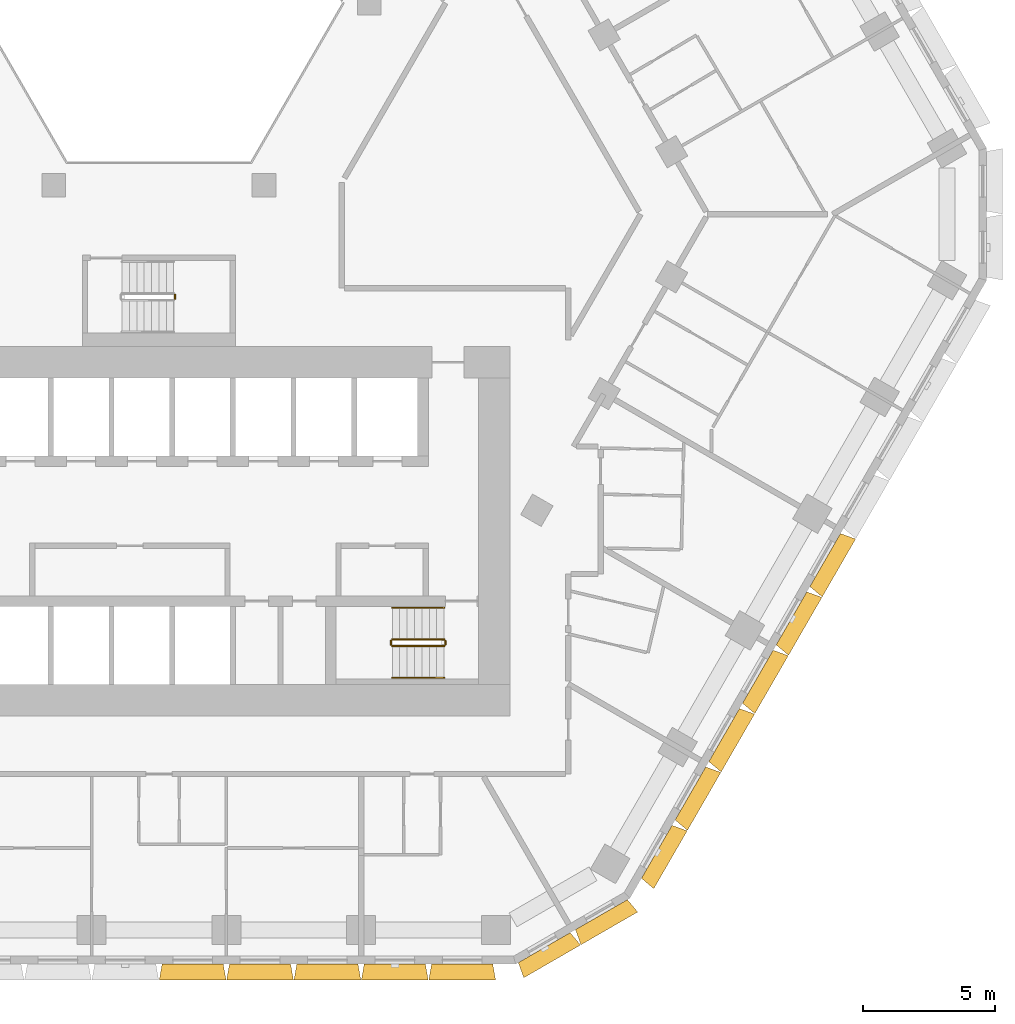
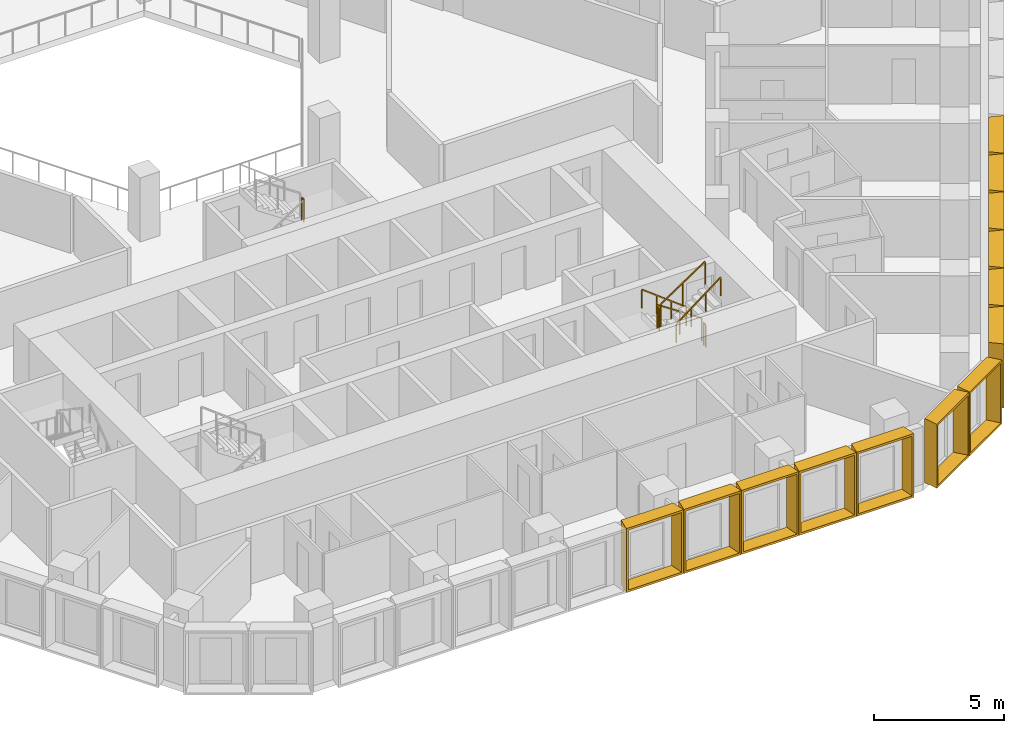
# One storey, part 20 of 21: 13 shading devices, 7 railings.
"""IFC4 building model written with IfcOpenShell, lengths in metres."""

from ifc_helpers import new_model, entity, si_unit, direction, frame, origin, origin_2d, place, context, subcontext, project, spatial, rectangle, extrude, source, transform, mapped, material, type_object, type_shapes, element, save


model = new_model("IFC4")

# Units and contexts
model_context = context("Model", 3, precision=1e-05, world=origin(), true_north=direction((0.0, 1.0)))
body_context = subcontext(model_context, "Body", "Model", "MODEL_VIEW")
ifc_project = project(units=[si_unit("LENGTHUNIT", "METRE"), si_unit("AREAUNIT", "SQUARE_METRE"), si_unit("VOLUMEUNIT", "CUBIC_METRE"), si_unit("PLANEANGLEUNIT", "RADIAN"), si_unit("MASSUNIT", "GRAM", prefix="KILO")], contexts=[model_context])

# Site, building, storey
site_placement = place(None, origin())
site = spatial("IfcSite", under=ifc_project, at=site_placement, CompositionType="ELEMENT")
building_placement = place(site_placement, origin())
building = spatial("IfcBuilding", under=site, at=building_placement, Name="Beryl Residences", CompositionType="ELEMENT")
storey_placement = place(building_placement, frame((0.0, 0.0, 53.39990234375)))
storey = spatial("IfcBuildingStorey", under=building, at=storey_placement, Name="L16", CompositionType="ELEMENT", Elevation=53.39990234375)

# Shading devices
ifc_material_1 = material(Name="Aluminium pale anodised", Category="aluminium")
shading_device_type_1 = type_object("IfcShadingDeviceType", Name="FR250-60A OUTER SKIN frame 600 mm deep, splay 10/10 deg, 2500 x 3000 mm cell", PredefinedType="USERDEFINED", material=ifc_material_1)
cartesian_point_1 = entity("IfcCartesianPoint", [-1.134033203125, 0.0])
cartesian_point_2 = entity("IfcCartesianPoint", [-1.052734375, 0.10009765625])
cartesian_point_3 = entity("IfcCartesianPoint", [-1.23974609375, 0.0])
cartesian_point_4 = entity("IfcCartesianPoint", [-1.158447265625, 0.10009765625])
shared_shape_1 = source(origin(), body_context, "Body", "SweptSolid", [
    entity("IfcExtrudedAreaSolidTapered", entity("IfcArbitraryProfileDefWithVoids", "AREA", None, entity("IfcPolyline", [cartesian_point_1, entity("IfcCartesianPoint", [1.134033203125, 0.0]), entity("IfcCartesianPoint", [1.134033203125, 3.0]), entity("IfcCartesianPoint", [-1.134033203125, 3.0]), cartesian_point_1]), [entity("IfcPolyline", [cartesian_point_2, entity("IfcCartesianPoint", [1.052734375, 0.10009765625]), entity("IfcCartesianPoint", [1.052734375, 2.89990234375]), entity("IfcCartesianPoint", [-1.052734375, 2.89990234375]), cartesian_point_2])]), entity("IfcAxis2Placement3D", entity("IfcCartesianPoint", [0.0, 0.0, 0.0]), entity("IfcDirection", [0.0, 1.0, 0.0]), entity("IfcDirection", [-1.0, 0.0, 0.0])), entity("IfcDirection", [0.0, 0.0, 1.0]), 0.60009765625, entity("IfcArbitraryProfileDefWithVoids", "AREA", None, entity("IfcPolyline", [cartesian_point_3, entity("IfcCartesianPoint", [1.23974609375, 0.0]), entity("IfcCartesianPoint", [1.23974609375, 3.0]), entity("IfcCartesianPoint", [-1.23974609375, 3.0]), cartesian_point_3]), [entity("IfcPolyline", [cartesian_point_4, entity("IfcCartesianPoint", [1.158447265625, 0.10009765625]), entity("IfcCartesianPoint", [1.158447265625, 2.89990234375]), entity("IfcCartesianPoint", [-1.158447265625, 2.89990234375]), cartesian_point_4])])),
])
type_shapes(shading_device_type_1, [shared_shape_1])
for number, where, z_axis, x_axis, name in (
    (1, (14.593017578125, -27.77490234375, 0.0), (0.0, 0.0, 1.0), (-0.866025403784, -0.5, 0.0), "FR250-60A frame L16 S-SE 1"),
    (2, (16.758056640625, -26.52490234375, 0.0), (0.0, 0.0, 1.0), (-0.866025403784, -0.5, 0.0), "FR250-60A frame L16 S-SE 2"),
):
    element("IfcShadingDevice", number, at=place(storey_placement, frame(where, z_axis=z_axis, x_axis=x_axis)), inside=storey, type_object=shading_device_type_1, Name=name, ObjectType="OUTER SKIN", PredefinedType="USERDEFINED", context=body_context, shape_type="MappedRepresentation", body=[
        mapped(shared_shape_1, transform((0.0, 0.0, 0.0))),
    ])
ifc_material_2 = material(Name="Aluminium pale anodised", Category="aluminium")
shading_device_type_2 = type_object("IfcShadingDeviceType", Name="FR255-60A OUTER SKIN frame 600 mm deep, splay 10/10 deg, 2550 x 3000 mm cell", PredefinedType="USERDEFINED", material=ifc_material_2)
cartesian_point_5 = entity("IfcCartesianPoint", [-1.158935546875, 0.0])
cartesian_point_6 = entity("IfcCartesianPoint", [-1.077880859375, 0.10009765625])
cartesian_point_7 = entity("IfcCartesianPoint", [-1.264892578125, 0.0])
cartesian_point_8 = entity("IfcCartesianPoint", [-1.18359375, 0.10009765625])
shared_shape_2 = source(origin(), body_context, "Body", "SweptSolid", [
    entity("IfcExtrudedAreaSolidTapered", entity("IfcArbitraryProfileDefWithVoids", "AREA", None, entity("IfcPolyline", [cartesian_point_5, entity("IfcCartesianPoint", [1.158935546875, 0.0]), entity("IfcCartesianPoint", [1.158935546875, 3.0]), entity("IfcCartesianPoint", [-1.158935546875, 3.0]), cartesian_point_5]), [entity("IfcPolyline", [cartesian_point_6, entity("IfcCartesianPoint", [1.077880859375, 0.10009765625]), entity("IfcCartesianPoint", [1.077880859375, 2.89990234375]), entity("IfcCartesianPoint", [-1.077880859375, 2.89990234375]), cartesian_point_6])]), entity("IfcAxis2Placement3D", entity("IfcCartesianPoint", [0.0, 0.0, 0.0]), entity("IfcDirection", [0.0, 1.0, 0.0]), entity("IfcDirection", [-1.0, 0.0, 0.0])), entity("IfcDirection", [0.0, 0.0, 1.0]), 0.60009765625, entity("IfcArbitraryProfileDefWithVoids", "AREA", None, entity("IfcPolyline", [cartesian_point_7, entity("IfcCartesianPoint", [1.264892578125, 0.0]), entity("IfcCartesianPoint", [1.264892578125, 3.0]), entity("IfcCartesianPoint", [-1.264892578125, 3.0]), cartesian_point_7]), [entity("IfcPolyline", [cartesian_point_8, entity("IfcCartesianPoint", [1.18359375, 0.10009765625]), entity("IfcCartesianPoint", [1.18359375, 2.89990234375]), entity("IfcCartesianPoint", [-1.18359375, 2.89990234375]), cartesian_point_8])])),
])
type_shapes(shading_device_type_2, [shared_shape_2])
for number, where, z_axis, x_axis, name in (
    (3, (1.277099609375, -28.39990234375, 0.0), (0.0, 0.0, 1.0), (-1.0, 0.0, 0.0), "FR255-60A frame L16 S 6"),
    (4, (3.8291015625, -28.39990234375, 0.0), (0.0, 0.0, 1.0), (-1.0, 0.0, 0.0), "FR255-60A frame L16 S 7"),
    (5, (6.381103515625, -28.39990234375, 0.0), (0.0, 0.0, 1.0), (-1.0, 0.0, 0.0), "FR255-60A frame L16 S 8"),
    (6, (8.93310546875, -28.39990234375, 0.0), (0.0, 0.0, 1.0), (-1.0, 0.0, 0.0), "FR255-60A frame L16 S 9"),
    (7, (11.485107421875, -28.39990234375, 0.0), (0.0, 0.0, 1.0), (-1.0, 0.0, 0.0), "FR255-60A frame L16 S 10"),
    (8, (18.85400390625, -24.14501953125, 0.0), (0.0, 0.0, 1.0), (-0.5, -0.866025403784, 0.0), "FR255-60A frame L16 SE 1"),
    (9, (20.1298828125, -21.93505859375, 0.0), (0.0, 0.0, 1.0), (-0.5, -0.866025403784, 0.0), "FR255-60A frame L16 SE 2"),
    (10, (21.406005859375, -19.72412109375, 0.0), (0.0, 0.0, 1.0), (-0.5, -0.866025403784, 0.0), "FR255-60A frame L16 SE 3"),
    (11, (22.681884765625, -17.513916015625, 0.0), (0.0, 0.0, 1.0), (-0.5, -0.866025403784, 0.0), "FR255-60A frame L16 SE 4"),
    (12, (23.9580078125, -15.303955078125, 0.0), (0.0, 0.0, 1.0), (-0.5, -0.866025403784, 0.0), "FR255-60A frame L16 SE 5"),
    (13, (25.23291015625, -13.093994140625, 0.0), (0.0, 0.0, 1.0), (-0.5, -0.866025403784, 0.0), "FR255-60A frame L16 SE 6"),
):
    element("IfcShadingDevice", number, at=place(storey_placement, frame(where, z_axis=z_axis, x_axis=x_axis)), inside=storey, type_object=shading_device_type_2, Name=name, ObjectType="OUTER SKIN", PredefinedType="USERDEFINED", context=body_context, shape_type="MappedRepresentation", body=[
        mapped(shared_shape_2, transform((0.0, 0.0, 0.0))),
    ])

# Railings
ifc_material_3 = material(Name="Stainless steel balustrade with glass infill", Category="steel")
railing_type_1 = type_object("IfcRailingType", Name="SG1 stair guard 1100 mm", PredefinedType="GUARDRAIL", material=ifc_material_3)
railing_1_placement = place(storey_placement, frame((10.800048828125, -16.10009765625, 0.1875)))
element("IfcRailing", 14, at=railing_1_placement, inside=storey, type_object=railing_type_1, Name="L16 ST-3 stair guard 1", PredefinedType="GUARDRAIL", context=body_context, shape_type="SweptSolid", body=[
    extrude(rectangle(XDim=0.048095703125, YDim=0.048095703125, at=origin_2d()), frame((0.0, 0.0, 1.076171875), z_axis=(-0.830902050051, 0.0, 0.556418712142), x_axis=(0.0, -1.0, 0.0)), (0.0, 0.0, 1.0), 2.35888671875),
    extrude(rectangle(XDim=0.0419921875, YDim=0.0419921875, at=origin_2d()), origin(), (0.0, 0.0, 1.0), 1.052001953125),
    extrude(rectangle(XDim=0.0419921875, YDim=0.0419921875, at=origin_2d()), frame((-0.97998046875, 0.0, 0.65625)), (0.0, 0.0, 1.0), 1.052001953125),
    extrude(rectangle(XDim=0.0419921875, YDim=0.0419921875, at=origin_2d()), frame((-1.9599609375, 0.0, 1.3125)), (0.0, 0.0, 1.0), 1.052001953125),
])
railing_2_placement = place(storey_placement, frame((8.7900390625, -16.14990234375, 1.5)))
element("IfcRailing", 15, at=railing_2_placement, inside=storey, type_object=railing_type_1, Name="L16 ST-3 stair guard 2", PredefinedType="GUARDRAIL", context=body_context, shape_type="SweptSolid", body=[
    extrude(rectangle(XDim=0.048095703125, YDim=0.048095703125, at=origin_2d()), frame((0.0, 0.0, 1.076171875), z_axis=(0.0, -1.0, 0.0), x_axis=(1.0, 0.0, 0.0)), (0.0, 0.0, 1.0), 0.150146484375),
    extrude(rectangle(XDim=0.0419921875, YDim=0.0419921875, at=origin_2d()), origin(), (0.0, 0.0, 1.0), 1.052001953125),
    extrude(rectangle(XDim=0.0419921875, YDim=0.0419921875, at=origin_2d()), frame((0.0, -0.150146484375, 0.0)), (0.0, 0.0, 1.0), 1.052001953125),
])
railing_3_placement = place(storey_placement, frame((8.840087890625, -16.35009765625, 1.6875)))
element("IfcRailing", 16, at=railing_3_placement, inside=storey, type_object=railing_type_1, Name="L16 ST-3 stair guard 3", PredefinedType="GUARDRAIL", context=body_context, shape_type="SweptSolid", body=[
    extrude(rectangle(XDim=0.048095703125, YDim=0.048095703125, at=origin_2d()), frame((0.0, 0.0, 1.076171875), z_axis=(0.830902050051, 0.0, 0.556418712142), x_axis=(0.0, 1.0, 0.0)), (0.0, 0.0, 1.0), 2.35888671875),
    extrude(rectangle(XDim=0.0419921875, YDim=0.0419921875, at=origin_2d()), origin(), (0.0, 0.0, 1.0), 1.052001953125),
    extrude(rectangle(XDim=0.0419921875, YDim=0.0419921875, at=origin_2d()), frame((0.97998046875, 0.0, 0.65625)), (0.0, 0.0, 1.0), 1.052001953125),
    extrude(rectangle(XDim=0.0419921875, YDim=0.0419921875, at=origin_2d()), frame((1.9599609375, 0.0, 1.3125)), (0.0, 0.0, 1.0), 1.052001953125),
])
railing_4_placement = place(storey_placement, frame((10.85009765625, -16.14990234375, 0.0)))
element("IfcRailing", 17, at=railing_4_placement, inside=storey, type_object=railing_type_1, Name="L16 ST-3 stair guard 4", PredefinedType="GUARDRAIL", context=body_context, shape_type="SweptSolid", body=[
    extrude(rectangle(XDim=0.048095703125, YDim=0.048095703125, at=origin_2d()), frame((0.0, 0.0, 1.076171875), z_axis=(0.0, -1.0, 0.0), x_axis=(1.0, 0.0, 0.0)), (0.0, 0.0, 1.0), 0.150146484375),
    extrude(rectangle(XDim=0.0419921875, YDim=0.0419921875, at=origin_2d()), origin(), (0.0, 0.0, 1.0), 1.052001953125),
    extrude(rectangle(XDim=0.0419921875, YDim=0.0419921875, at=origin_2d()), frame((0.0, -0.150146484375, 0.0)), (0.0, 0.0, 1.0), 1.052001953125),
])
railing_5_placement = place(storey_placement, frame((0.610107421875, -3.199951171875, 1.5)))
element("IfcRailing", 18, at=railing_5_placement, inside=storey, type_object=railing_type_1, Name="L16 ST-4 stair guard 2", PredefinedType="GUARDRAIL", context=body_context, shape_type="SweptSolid", body=[
    extrude(rectangle(XDim=0.048095703125, YDim=0.048095703125, at=origin_2d()), frame((0.0, 0.0, 1.076171875), z_axis=(0.0, 1.0, 0.0), x_axis=(-1.0, 0.0, 0.0)), (0.0, 0.0, 1.0), 0.14990234375),
    extrude(rectangle(XDim=0.0419921875, YDim=0.0419921875, at=origin_2d()), origin(), (0.0, 0.0, 1.0), 1.052001953125),
    extrude(rectangle(XDim=0.0419921875, YDim=0.0419921875, at=origin_2d()), frame((0.0, 0.14990234375, 0.0)), (0.0, 0.0, 1.0), 1.052001953125),
])
ifc_material_4 = material(Name="Stainless steel handrail", Category="steel")
railing_type_2 = type_object("IfcRailingType", Name="SRL1 stair handrail 900 mm", PredefinedType="HANDRAIL", material=ifc_material_4)
railing_6_placement = place(storey_placement, frame((10.800048828125, -14.89990234375, 0.1875)))
element("IfcRailing", 19, at=railing_6_placement, inside=storey, type_object=railing_type_2, Name="L16 ST-3 stair handrail 1", PredefinedType="HANDRAIL", context=body_context, shape_type="SweptSolid", body=[
    extrude(rectangle(XDim=0.048095703125, YDim=0.048095703125, at=origin_2d()), frame((0.0, 0.0, 0.8759765625), z_axis=(-0.794121922505, 0.0, 0.607758481798), x_axis=(0.0, -1.0, 0.0)), (0.0, 0.0, 1.0), 2.468017578125),
    extrude(rectangle(XDim=0.0419921875, YDim=0.0419921875, at=origin_2d()), origin(), (0.0, 0.0, 1.0), 0.851806640625),
    extrude(rectangle(XDim=0.0419921875, YDim=0.0419921875, at=origin_2d()), frame((-0.6533203125, 0.0, 0.5)), (0.0, 0.0, 1.0), 0.851806640625),
    extrude(rectangle(XDim=0.0419921875, YDim=0.0419921875, at=origin_2d()), frame((-1.306640625, 0.0, 1.0)), (0.0, 0.0, 1.0), 0.851806640625),
    extrude(rectangle(XDim=0.0419921875, YDim=0.0419921875, at=origin_2d()), frame((-1.9599609375, 0.0, 1.5)), (0.0, 0.0, 1.0), 0.851806640625),
])
railing_7_placement = place(storey_placement, frame((8.840087890625, -17.550048828125, 1.6875)))
element("IfcRailing", 20, at=railing_7_placement, inside=storey, type_object=railing_type_2, Name="L16 ST-3 stair handrail 2", PredefinedType="HANDRAIL", context=body_context, shape_type="SweptSolid", body=[
    extrude(rectangle(XDim=0.048095703125, YDim=0.048095703125, at=origin_2d()), frame((0.0, 0.0, 0.8759765625), z_axis=(0.794121922505, 0.0, 0.607758481798), x_axis=(0.0, 1.0, 0.0)), (0.0, 0.0, 1.0), 2.468017578125),
    extrude(rectangle(XDim=0.0419921875, YDim=0.0419921875, at=origin_2d()), origin(), (0.0, 0.0, 1.0), 0.851806640625),
    extrude(rectangle(XDim=0.0419921875, YDim=0.0419921875, at=origin_2d()), frame((0.6533203125, 0.0, 0.5)), (0.0, 0.0, 1.0), 0.851806640625),
    extrude(rectangle(XDim=0.0419921875, YDim=0.0419921875, at=origin_2d()), frame((1.306640625, 0.0, 1.0)), (0.0, 0.0, 1.0), 0.851806640625),
    extrude(rectangle(XDim=0.0419921875, YDim=0.0419921875, at=origin_2d()), frame((1.9599609375, 0.0, 1.5)), (0.0, 0.0, 1.0), 0.851806640625),
])

save(model, "model.ifc")
